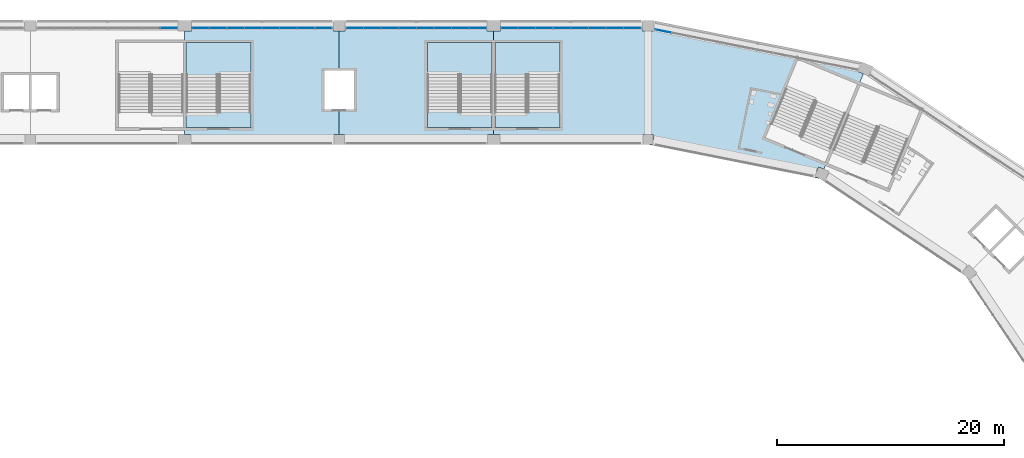
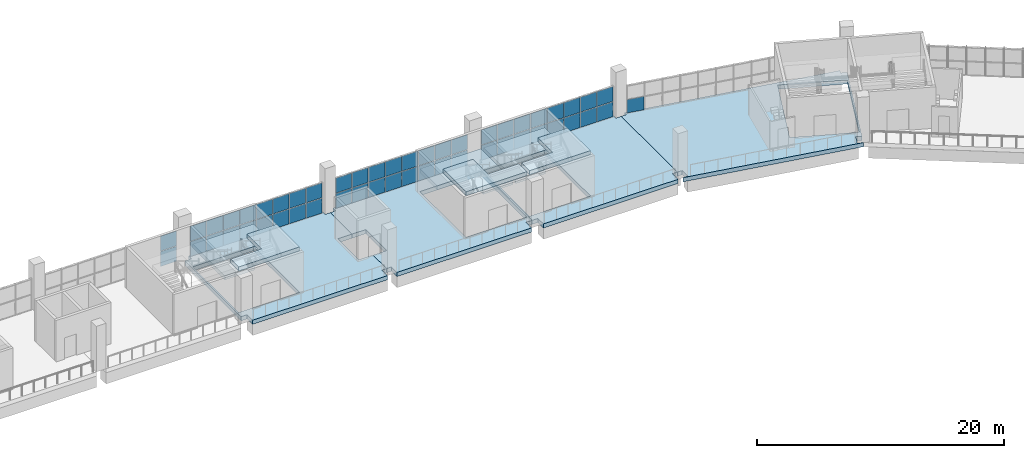
# One storey, part 56 of 177: 51 plates, 10 slabs, 8 elements without a shape of their own.
"""IFC4 building model written with IfcOpenShell, lengths in metres."""

from ifc_helpers import new_model, si_unit, direction, frame, origin, origin_2d, place, context, subcontext, project, spatial, polyline, rectangle, outline, extrude, material, layer, layer_set, type_object, element, aggregate, save


model = new_model("IFC4")

# Units and contexts
model_context = context("Model", 3, precision=1e-05, world=origin(), true_north=direction((0.0, 1.0)))
body_context = subcontext(model_context, "Body", "Model", "MODEL_VIEW")
ifc_project = project(units=[si_unit("LENGTHUNIT", "METRE"), si_unit("AREAUNIT", "SQUARE_METRE"), si_unit("VOLUMEUNIT", "CUBIC_METRE"), si_unit("PLANEANGLEUNIT", "RADIAN"), si_unit("MASSUNIT", "GRAM", prefix="KILO")], contexts=[model_context])

# Site, building, storey
site_placement = place(None, origin())
site = spatial("IfcSite", under=ifc_project, at=site_placement, CompositionType="ELEMENT")
building_placement = place(site_placement, origin())
building = spatial("IfcBuilding", under=site, at=building_placement, Name="Ogive Plaza Stadium", CompositionType="ELEMENT")
storey_placement = place(building_placement, frame((0.0, 0.0, 18.0)))
storey = spatial("IfcBuildingStorey", under=building, at=storey_placement, Name="L04", CompositionType="ELEMENT", Elevation=18.0)

# Curtain wall, plates
ifc_material_1 = material(Name="Bronze-anodised aluminium with laminated glass", Category="aluminium")
curtain_wall_type = type_object("IfcCurtainWallType", Name="Lancet curtain wall", PredefinedType="NOTDEFINED", material=ifc_material_1)
curtain_wall_1_placement = place(storey_placement, origin())
curtain_wall_1 = element("IfcCurtainWall", 1, at=curtain_wall_1_placement, inside=storey, type_object=curtain_wall_type, Name="CURTAIN WALL B33 L04", PredefinedType="NOTDEFINED")
ifc_material_2 = material(Name="Laminated glass", Category="glass")
ifc_layer_1 = layer(ifc_material_2, 0.028076171875)
ifc_layer_set_1 = layer_set([ifc_layer_1], Name="Laminated glass panel 28")
plate_type = type_object("IfcPlateType", Name="Laminated glass panel 28", PredefinedType="CURTAIN_PANEL", material=ifc_layer_set_1)
plate_1_placement = place(storey_placement, frame((-8.1875, 102.300048828125, 0.0498046875), z_axis=(0.0, 0.0, 1.0), x_axis=(1.0, 0.0, 0.0)))
plate_1 = element("IfcPlate", 2, at=plate_1_placement, type_object=plate_type, Name="CW-B33-L04 panel 8.1", PredefinedType="CURTAIN_PANEL", context=body_context, shape_type="SweptSolid", body=[
    extrude(rectangle(XDim=1.47509765625, YDim=0.028076171875, at=origin_2d()), origin(), (0.0, 0.0, 1.0), 1.469970703125),
])
plate_2_placement = place(storey_placement, frame((-8.1875, 102.300048828125, 1.56982421875), z_axis=(0.0, 0.0, 1.0), x_axis=(1.0, 0.0, 0.0)))
plate_2 = element("IfcPlate", 3, at=plate_2_placement, type_object=plate_type, Name="CW-B33-L04 panel 8.2", PredefinedType="CURTAIN_PANEL", context=body_context, shape_type="SweptSolid", body=[
    extrude(rectangle(XDim=1.47509765625, YDim=0.028076171875, at=origin_2d()), origin(), (0.0, 0.0, 1.0), 1.469970703125),
])
aggregate(curtain_wall_1, [plate_1, plate_2])

curtain_wall_2_placement = place(storey_placement, origin())
curtain_wall_2 = element("IfcCurtainWall", 4, at=curtain_wall_2_placement, inside=storey, type_object=curtain_wall_type, Name="CURTAIN WALL B34 L04", PredefinedType="NOTDEFINED")
plate_3_placement = place(storey_placement, frame((-5.41259765625, 102.300048828125, 0.0498046875), z_axis=(0.0, 0.0, 1.0), x_axis=(1.0, 0.0, 0.0)))
plate_3 = element("IfcPlate", 5, at=plate_3_placement, type_object=plate_type, Name="CW-B34-L04 panel 1.1", PredefinedType="CURTAIN_PANEL", context=body_context, shape_type="SweptSolid", body=[
    extrude(rectangle(XDim=1.47509765625, YDim=0.028076171875, at=origin_2d()), origin(), (0.0, 0.0, 1.0), 1.469970703125),
])
plate_4_placement = place(storey_placement, frame((-5.41259765625, 102.300048828125, 1.56982421875), z_axis=(0.0, 0.0, 1.0), x_axis=(1.0, 0.0, 0.0)))
plate_4 = element("IfcPlate", 6, at=plate_4_placement, type_object=plate_type, Name="CW-B34-L04 panel 1.2", PredefinedType="CURTAIN_PANEL", context=body_context, shape_type="SweptSolid", body=[
    extrude(rectangle(XDim=1.47509765625, YDim=0.028076171875, at=origin_2d()), origin(), (0.0, 0.0, 1.0), 1.469970703125),
])
plate_5_placement = place(storey_placement, frame((-3.875, 102.300048828125, 0.0498046875), z_axis=(0.0, 0.0, 1.0), x_axis=(1.0, 0.0, 0.0)))
plate_5 = element("IfcPlate", 7, at=plate_5_placement, type_object=plate_type, Name="CW-B34-L04 panel 2.1", PredefinedType="CURTAIN_PANEL", context=body_context, shape_type="SweptSolid", body=[
    extrude(rectangle(XDim=1.5, YDim=0.028076171875, at=origin_2d()), origin(), (0.0, 0.0, 1.0), 1.469970703125),
])
plate_6_placement = place(storey_placement, frame((-3.875, 102.300048828125, 1.56982421875), z_axis=(0.0, 0.0, 1.0), x_axis=(1.0, 0.0, 0.0)))
plate_6 = element("IfcPlate", 8, at=plate_6_placement, type_object=plate_type, Name="CW-B34-L04 panel 2.2", PredefinedType="CURTAIN_PANEL", context=body_context, shape_type="SweptSolid", body=[
    extrude(rectangle(XDim=1.5, YDim=0.028076171875, at=origin_2d()), origin(), (0.0, 0.0, 1.0), 1.469970703125),
])
plate_7_placement = place(storey_placement, frame((-2.324951171875, 102.300048828125, 0.0498046875), z_axis=(0.0, 0.0, 1.0), x_axis=(1.0, 0.0, 0.0)))
plate_7 = element("IfcPlate", 9, at=plate_7_placement, type_object=plate_type, Name="CW-B34-L04 panel 3.1", PredefinedType="CURTAIN_PANEL", context=body_context, shape_type="SweptSolid", body=[
    extrude(rectangle(XDim=1.5, YDim=0.028076171875, at=origin_2d()), origin(), (0.0, 0.0, 1.0), 1.469970703125),
])
plate_8_placement = place(storey_placement, frame((-2.324951171875, 102.300048828125, 1.56982421875), z_axis=(0.0, 0.0, 1.0), x_axis=(1.0, 0.0, 0.0)))
plate_8 = element("IfcPlate", 10, at=plate_8_placement, type_object=plate_type, Name="CW-B34-L04 panel 3.2", PredefinedType="CURTAIN_PANEL", context=body_context, shape_type="SweptSolid", body=[
    extrude(rectangle(XDim=1.5, YDim=0.028076171875, at=origin_2d()), origin(), (0.0, 0.0, 1.0), 1.469970703125),
])
plate_9_placement = place(storey_placement, frame((-0.77490234375, 102.300048828125, 0.0498046875), z_axis=(0.0, 0.0, 1.0), x_axis=(1.0, 0.0, 0.0)))
plate_9 = element("IfcPlate", 11, at=plate_9_placement, type_object=plate_type, Name="CW-B34-L04 panel 4.1", PredefinedType="CURTAIN_PANEL", context=body_context, shape_type="SweptSolid", body=[
    extrude(rectangle(XDim=1.5, YDim=0.028076171875, at=origin_2d()), origin(), (0.0, 0.0, 1.0), 1.469970703125),
])
plate_10_placement = place(storey_placement, frame((-0.77490234375, 102.300048828125, 1.56982421875), z_axis=(0.0, 0.0, 1.0), x_axis=(1.0, 0.0, 0.0)))
plate_10 = element("IfcPlate", 12, at=plate_10_placement, type_object=plate_type, Name="CW-B34-L04 panel 4.2", PredefinedType="CURTAIN_PANEL", context=body_context, shape_type="SweptSolid", body=[
    extrude(rectangle(XDim=1.5, YDim=0.028076171875, at=origin_2d()), origin(), (0.0, 0.0, 1.0), 1.469970703125),
])
plate_11_placement = place(storey_placement, frame((0.77490234375, 102.300048828125, 0.0498046875), z_axis=(0.0, 0.0, 1.0), x_axis=(1.0, 0.0, 0.0)))
plate_11 = element("IfcPlate", 13, at=plate_11_placement, type_object=plate_type, Name="CW-B34-L04 panel 5.1", PredefinedType="CURTAIN_PANEL", context=body_context, shape_type="SweptSolid", body=[
    extrude(rectangle(XDim=1.5, YDim=0.028076171875, at=origin_2d()), origin(), (0.0, 0.0, 1.0), 1.469970703125),
])
plate_12_placement = place(storey_placement, frame((0.77490234375, 102.300048828125, 1.56982421875), z_axis=(0.0, 0.0, 1.0), x_axis=(1.0, 0.0, 0.0)))
plate_12 = element("IfcPlate", 14, at=plate_12_placement, type_object=plate_type, Name="CW-B34-L04 panel 5.2", PredefinedType="CURTAIN_PANEL", context=body_context, shape_type="SweptSolid", body=[
    extrude(rectangle(XDim=1.5, YDim=0.028076171875, at=origin_2d()), origin(), (0.0, 0.0, 1.0), 1.469970703125),
])
plate_13_placement = place(storey_placement, frame((2.324951171875, 102.300048828125, 0.0498046875), z_axis=(0.0, 0.0, 1.0), x_axis=(1.0, 0.0, 0.0)))
plate_13 = element("IfcPlate", 15, at=plate_13_placement, type_object=plate_type, Name="CW-B34-L04 panel 6.1", PredefinedType="CURTAIN_PANEL", context=body_context, shape_type="SweptSolid", body=[
    extrude(rectangle(XDim=1.5, YDim=0.028076171875, at=origin_2d()), origin(), (0.0, 0.0, 1.0), 1.469970703125),
])
plate_14_placement = place(storey_placement, frame((2.324951171875, 102.300048828125, 1.56982421875), z_axis=(0.0, 0.0, 1.0), x_axis=(1.0, 0.0, 0.0)))
plate_14 = element("IfcPlate", 16, at=plate_14_placement, type_object=plate_type, Name="CW-B34-L04 panel 6.2", PredefinedType="CURTAIN_PANEL", context=body_context, shape_type="SweptSolid", body=[
    extrude(rectangle(XDim=1.5, YDim=0.028076171875, at=origin_2d()), origin(), (0.0, 0.0, 1.0), 1.469970703125),
])
plate_15_placement = place(storey_placement, frame((3.875, 102.300048828125, 0.0498046875), z_axis=(0.0, 0.0, 1.0), x_axis=(1.0, 0.0, 0.0)))
plate_15 = element("IfcPlate", 17, at=plate_15_placement, type_object=plate_type, Name="CW-B34-L04 panel 7.1", PredefinedType="CURTAIN_PANEL", context=body_context, shape_type="SweptSolid", body=[
    extrude(rectangle(XDim=1.5, YDim=0.028076171875, at=origin_2d()), origin(), (0.0, 0.0, 1.0), 1.469970703125),
])
plate_16_placement = place(storey_placement, frame((3.875, 102.300048828125, 1.56982421875), z_axis=(0.0, 0.0, 1.0), x_axis=(1.0, 0.0, 0.0)))
plate_16 = element("IfcPlate", 18, at=plate_16_placement, type_object=plate_type, Name="CW-B34-L04 panel 7.2", PredefinedType="CURTAIN_PANEL", context=body_context, shape_type="SweptSolid", body=[
    extrude(rectangle(XDim=1.5, YDim=0.028076171875, at=origin_2d()), origin(), (0.0, 0.0, 1.0), 1.469970703125),
])
plate_17_placement = place(storey_placement, frame((5.41259765625, 102.300048828125, 0.0498046875), z_axis=(0.0, 0.0, 1.0), x_axis=(1.0, 0.0, 0.0)))
plate_17 = element("IfcPlate", 19, at=plate_17_placement, type_object=plate_type, Name="CW-B34-L04 panel 8.1", PredefinedType="CURTAIN_PANEL", context=body_context, shape_type="SweptSolid", body=[
    extrude(rectangle(XDim=1.47509765625, YDim=0.028076171875, at=origin_2d()), origin(), (0.0, 0.0, 1.0), 1.469970703125),
])
plate_18_placement = place(storey_placement, frame((5.41259765625, 102.300048828125, 1.56982421875), z_axis=(0.0, 0.0, 1.0), x_axis=(1.0, 0.0, 0.0)))
plate_18 = element("IfcPlate", 20, at=plate_18_placement, type_object=plate_type, Name="CW-B34-L04 panel 8.2", PredefinedType="CURTAIN_PANEL", context=body_context, shape_type="SweptSolid", body=[
    extrude(rectangle(XDim=1.47509765625, YDim=0.028076171875, at=origin_2d()), origin(), (0.0, 0.0, 1.0), 1.469970703125),
])
aggregate(curtain_wall_2, [plate_3, plate_4, plate_5, plate_6, plate_7, plate_8, plate_9, plate_10, plate_11, plate_12, plate_13, plate_14, plate_15, plate_16, plate_17, plate_18])

curtain_wall_3_placement = place(storey_placement, origin())
curtain_wall_3 = element("IfcCurtainWall", 21, at=curtain_wall_3_placement, inside=storey, type_object=curtain_wall_type, Name="CURTAIN WALL B35 L04", PredefinedType="NOTDEFINED")
plate_19_placement = place(storey_placement, frame((8.1875, 102.300048828125, 0.0498046875), z_axis=(0.0, 0.0, 1.0), x_axis=(1.0, 0.0, 0.0)))
plate_19 = element("IfcPlate", 22, at=plate_19_placement, type_object=plate_type, Name="CW-B35-L04 panel 1.1", PredefinedType="CURTAIN_PANEL", context=body_context, shape_type="SweptSolid", body=[
    extrude(rectangle(XDim=1.47509765625, YDim=0.028076171875, at=origin_2d()), origin(), (0.0, 0.0, 1.0), 1.469970703125),
])
plate_20_placement = place(storey_placement, frame((8.1875, 102.300048828125, 1.56982421875), z_axis=(0.0, 0.0, 1.0), x_axis=(1.0, 0.0, 0.0)))
plate_20 = element("IfcPlate", 23, at=plate_20_placement, type_object=plate_type, Name="CW-B35-L04 panel 1.2", PredefinedType="CURTAIN_PANEL", context=body_context, shape_type="SweptSolid", body=[
    extrude(rectangle(XDim=1.47509765625, YDim=0.028076171875, at=origin_2d()), origin(), (0.0, 0.0, 1.0), 1.469970703125),
])
plate_21_placement = place(storey_placement, frame((9.72509765625, 102.300048828125, 0.0498046875), z_axis=(0.0, 0.0, 1.0), x_axis=(1.0, 0.0, 0.0)))
plate_21 = element("IfcPlate", 24, at=plate_21_placement, type_object=plate_type, Name="CW-B35-L04 panel 2.1", PredefinedType="CURTAIN_PANEL", context=body_context, shape_type="SweptSolid", body=[
    extrude(rectangle(XDim=1.5, YDim=0.028076171875, at=origin_2d()), origin(), (0.0, 0.0, 1.0), 1.469970703125),
])
plate_22_placement = place(storey_placement, frame((9.72509765625, 102.300048828125, 1.56982421875), z_axis=(0.0, 0.0, 1.0), x_axis=(1.0, 0.0, 0.0)))
plate_22 = element("IfcPlate", 25, at=plate_22_placement, type_object=plate_type, Name="CW-B35-L04 panel 2.2", PredefinedType="CURTAIN_PANEL", context=body_context, shape_type="SweptSolid", body=[
    extrude(rectangle(XDim=1.5, YDim=0.028076171875, at=origin_2d()), origin(), (0.0, 0.0, 1.0), 1.469970703125),
])
plate_23_placement = place(storey_placement, frame((11.27490234375, 102.300048828125, 0.0498046875), z_axis=(0.0, 0.0, 1.0), x_axis=(1.0, 0.0, 0.0)))
plate_23 = element("IfcPlate", 26, at=plate_23_placement, type_object=plate_type, Name="CW-B35-L04 panel 3.1", PredefinedType="CURTAIN_PANEL", context=body_context, shape_type="SweptSolid", body=[
    extrude(rectangle(XDim=1.5, YDim=0.028076171875, at=origin_2d()), origin(), (0.0, 0.0, 1.0), 1.469970703125),
])
plate_24_placement = place(storey_placement, frame((11.27490234375, 102.300048828125, 1.56982421875), z_axis=(0.0, 0.0, 1.0), x_axis=(1.0, 0.0, 0.0)))
plate_24 = element("IfcPlate", 27, at=plate_24_placement, type_object=plate_type, Name="CW-B35-L04 panel 3.2", PredefinedType="CURTAIN_PANEL", context=body_context, shape_type="SweptSolid", body=[
    extrude(rectangle(XDim=1.5, YDim=0.028076171875, at=origin_2d()), origin(), (0.0, 0.0, 1.0), 1.469970703125),
])
plate_25_placement = place(storey_placement, frame((12.824951171875, 102.300048828125, 0.0498046875), z_axis=(0.0, 0.0, 1.0), x_axis=(1.0, 0.0, 0.0)))
plate_25 = element("IfcPlate", 28, at=plate_25_placement, type_object=plate_type, Name="CW-B35-L04 panel 4.1", PredefinedType="CURTAIN_PANEL", context=body_context, shape_type="SweptSolid", body=[
    extrude(rectangle(XDim=1.5, YDim=0.028076171875, at=origin_2d()), origin(), (0.0, 0.0, 1.0), 1.469970703125),
])
plate_26_placement = place(storey_placement, frame((12.824951171875, 102.300048828125, 1.56982421875), z_axis=(0.0, 0.0, 1.0), x_axis=(1.0, 0.0, 0.0)))
plate_26 = element("IfcPlate", 29, at=plate_26_placement, type_object=plate_type, Name="CW-B35-L04 panel 4.2", PredefinedType="CURTAIN_PANEL", context=body_context, shape_type="SweptSolid", body=[
    extrude(rectangle(XDim=1.5, YDim=0.028076171875, at=origin_2d()), origin(), (0.0, 0.0, 1.0), 1.469970703125),
])
plate_27_placement = place(storey_placement, frame((14.375, 102.300048828125, 0.0498046875), z_axis=(0.0, 0.0, 1.0), x_axis=(1.0, 0.0, 0.0)))
plate_27 = element("IfcPlate", 30, at=plate_27_placement, type_object=plate_type, Name="CW-B35-L04 panel 5.1", PredefinedType="CURTAIN_PANEL", context=body_context, shape_type="SweptSolid", body=[
    extrude(rectangle(XDim=1.5, YDim=0.028076171875, at=origin_2d()), origin(), (0.0, 0.0, 1.0), 1.469970703125),
])
plate_28_placement = place(storey_placement, frame((14.375, 102.300048828125, 1.56982421875), z_axis=(0.0, 0.0, 1.0), x_axis=(1.0, 0.0, 0.0)))
plate_28 = element("IfcPlate", 31, at=plate_28_placement, type_object=plate_type, Name="CW-B35-L04 panel 5.2", PredefinedType="CURTAIN_PANEL", context=body_context, shape_type="SweptSolid", body=[
    extrude(rectangle(XDim=1.5, YDim=0.028076171875, at=origin_2d()), origin(), (0.0, 0.0, 1.0), 1.469970703125),
])
plate_29_placement = place(storey_placement, frame((15.925048828125, 102.300048828125, 0.0498046875), z_axis=(0.0, 0.0, 1.0), x_axis=(1.0, 0.0, 0.0)))
plate_29 = element("IfcPlate", 32, at=plate_29_placement, type_object=plate_type, Name="CW-B35-L04 panel 6.1", PredefinedType="CURTAIN_PANEL", context=body_context, shape_type="SweptSolid", body=[
    extrude(rectangle(XDim=1.5, YDim=0.028076171875, at=origin_2d()), origin(), (0.0, 0.0, 1.0), 1.469970703125),
])
plate_30_placement = place(storey_placement, frame((15.925048828125, 102.300048828125, 1.56982421875), z_axis=(0.0, 0.0, 1.0), x_axis=(1.0, 0.0, 0.0)))
plate_30 = element("IfcPlate", 33, at=plate_30_placement, type_object=plate_type, Name="CW-B35-L04 panel 6.2", PredefinedType="CURTAIN_PANEL", context=body_context, shape_type="SweptSolid", body=[
    extrude(rectangle(XDim=1.5, YDim=0.028076171875, at=origin_2d()), origin(), (0.0, 0.0, 1.0), 1.469970703125),
])
plate_31_placement = place(storey_placement, frame((17.47509765625, 102.300048828125, 0.0498046875), z_axis=(0.0, 0.0, 1.0), x_axis=(1.0, 0.0, 0.0)))
plate_31 = element("IfcPlate", 34, at=plate_31_placement, type_object=plate_type, Name="CW-B35-L04 panel 7.1", PredefinedType="CURTAIN_PANEL", context=body_context, shape_type="SweptSolid", body=[
    extrude(rectangle(XDim=1.5, YDim=0.028076171875, at=origin_2d()), origin(), (0.0, 0.0, 1.0), 1.469970703125),
])
plate_32_placement = place(storey_placement, frame((17.47509765625, 102.300048828125, 1.56982421875), z_axis=(0.0, 0.0, 1.0), x_axis=(1.0, 0.0, 0.0)))
plate_32 = element("IfcPlate", 35, at=plate_32_placement, type_object=plate_type, Name="CW-B35-L04 panel 7.2", PredefinedType="CURTAIN_PANEL", context=body_context, shape_type="SweptSolid", body=[
    extrude(rectangle(XDim=1.5, YDim=0.028076171875, at=origin_2d()), origin(), (0.0, 0.0, 1.0), 1.469970703125),
])
plate_33_placement = place(storey_placement, frame((19.012451171875, 102.300048828125, 0.0498046875), z_axis=(0.0, 0.0, 1.0), x_axis=(1.0, 0.0, 0.0)))
plate_33 = element("IfcPlate", 36, at=plate_33_placement, type_object=plate_type, Name="CW-B35-L04 panel 8.1", PredefinedType="CURTAIN_PANEL", context=body_context, shape_type="SweptSolid", body=[
    extrude(rectangle(XDim=1.47509765625, YDim=0.028076171875, at=origin_2d()), origin(), (0.0, 0.0, 1.0), 1.469970703125),
])
plate_34_placement = place(storey_placement, frame((19.012451171875, 102.300048828125, 1.56982421875), z_axis=(0.0, 0.0, 1.0), x_axis=(1.0, 0.0, 0.0)))
plate_34 = element("IfcPlate", 37, at=plate_34_placement, type_object=plate_type, Name="CW-B35-L04 panel 8.2", PredefinedType="CURTAIN_PANEL", context=body_context, shape_type="SweptSolid", body=[
    extrude(rectangle(XDim=1.47509765625, YDim=0.028076171875, at=origin_2d()), origin(), (0.0, 0.0, 1.0), 1.469970703125),
])
aggregate(curtain_wall_3, [plate_19, plate_20, plate_21, plate_22, plate_23, plate_24, plate_25, plate_26, plate_27, plate_28, plate_29, plate_30, plate_31, plate_32, plate_33, plate_34])

curtain_wall_4_placement = place(storey_placement, origin())
curtain_wall_4 = element("IfcCurtainWall", 38, at=curtain_wall_4_placement, inside=storey, type_object=curtain_wall_type, Name="CURTAIN WALL B36 L04", PredefinedType="NOTDEFINED")
plate_35_placement = place(storey_placement, frame((21.78759765625, 102.300048828125, 0.0498046875), z_axis=(0.0, 0.0, 1.0), x_axis=(1.0, 0.0, 0.0)))
plate_35 = element("IfcPlate", 39, at=plate_35_placement, type_object=plate_type, Name="CW-B36-L04 panel 1.1", PredefinedType="CURTAIN_PANEL", context=body_context, shape_type="SweptSolid", body=[
    extrude(rectangle(XDim=1.47509765625, YDim=0.028076171875, at=origin_2d()), origin(), (0.0, 0.0, 1.0), 1.469970703125),
])
plate_36_placement = place(storey_placement, frame((21.78759765625, 102.300048828125, 1.56982421875), z_axis=(0.0, 0.0, 1.0), x_axis=(1.0, 0.0, 0.0)))
plate_36 = element("IfcPlate", 40, at=plate_36_placement, type_object=plate_type, Name="CW-B36-L04 panel 1.2", PredefinedType="CURTAIN_PANEL", context=body_context, shape_type="SweptSolid", body=[
    extrude(rectangle(XDim=1.47509765625, YDim=0.028076171875, at=origin_2d()), origin(), (0.0, 0.0, 1.0), 1.469970703125),
])
plate_37_placement = place(storey_placement, frame((23.324951171875, 102.300048828125, 0.0498046875), z_axis=(0.0, 0.0, 1.0), x_axis=(1.0, 0.0, 0.0)))
plate_37 = element("IfcPlate", 41, at=plate_37_placement, type_object=plate_type, Name="CW-B36-L04 panel 2.1", PredefinedType="CURTAIN_PANEL", context=body_context, shape_type="SweptSolid", body=[
    extrude(rectangle(XDim=1.5, YDim=0.028076171875, at=origin_2d()), origin(), (0.0, 0.0, 1.0), 1.469970703125),
])
plate_38_placement = place(storey_placement, frame((23.324951171875, 102.300048828125, 1.56982421875), z_axis=(0.0, 0.0, 1.0), x_axis=(1.0, 0.0, 0.0)))
plate_38 = element("IfcPlate", 42, at=plate_38_placement, type_object=plate_type, Name="CW-B36-L04 panel 2.2", PredefinedType="CURTAIN_PANEL", context=body_context, shape_type="SweptSolid", body=[
    extrude(rectangle(XDim=1.5, YDim=0.028076171875, at=origin_2d()), origin(), (0.0, 0.0, 1.0), 1.469970703125),
])
plate_39_placement = place(storey_placement, frame((24.875, 102.300048828125, 0.0498046875), z_axis=(0.0, 0.0, 1.0), x_axis=(1.0, 0.0, 0.0)))
plate_39 = element("IfcPlate", 43, at=plate_39_placement, type_object=plate_type, Name="CW-B36-L04 panel 3.1", PredefinedType="CURTAIN_PANEL", context=body_context, shape_type="SweptSolid", body=[
    extrude(rectangle(XDim=1.5, YDim=0.028076171875, at=origin_2d()), origin(), (0.0, 0.0, 1.0), 1.469970703125),
])
plate_40_placement = place(storey_placement, frame((24.875, 102.300048828125, 1.56982421875), z_axis=(0.0, 0.0, 1.0), x_axis=(1.0, 0.0, 0.0)))
plate_40 = element("IfcPlate", 44, at=plate_40_placement, type_object=plate_type, Name="CW-B36-L04 panel 3.2", PredefinedType="CURTAIN_PANEL", context=body_context, shape_type="SweptSolid", body=[
    extrude(rectangle(XDim=1.5, YDim=0.028076171875, at=origin_2d()), origin(), (0.0, 0.0, 1.0), 1.469970703125),
])
plate_41_placement = place(storey_placement, frame((26.425048828125, 102.300048828125, 0.0498046875), z_axis=(0.0, 0.0, 1.0), x_axis=(1.0, 0.0, 0.0)))
plate_41 = element("IfcPlate", 45, at=plate_41_placement, type_object=plate_type, Name="CW-B36-L04 panel 4.1", PredefinedType="CURTAIN_PANEL", context=body_context, shape_type="SweptSolid", body=[
    extrude(rectangle(XDim=1.5, YDim=0.028076171875, at=origin_2d()), origin(), (0.0, 0.0, 1.0), 1.469970703125),
])
plate_42_placement = place(storey_placement, frame((26.425048828125, 102.300048828125, 1.56982421875), z_axis=(0.0, 0.0, 1.0), x_axis=(1.0, 0.0, 0.0)))
plate_42 = element("IfcPlate", 46, at=plate_42_placement, type_object=plate_type, Name="CW-B36-L04 panel 4.2", PredefinedType="CURTAIN_PANEL", context=body_context, shape_type="SweptSolid", body=[
    extrude(rectangle(XDim=1.5, YDim=0.028076171875, at=origin_2d()), origin(), (0.0, 0.0, 1.0), 1.469970703125),
])
plate_43_placement = place(storey_placement, frame((27.97509765625, 102.300048828125, 0.0498046875), z_axis=(0.0, 0.0, 1.0), x_axis=(1.0, 0.0, 0.0)))
plate_43 = element("IfcPlate", 47, at=plate_43_placement, type_object=plate_type, Name="CW-B36-L04 panel 5.1", PredefinedType="CURTAIN_PANEL", context=body_context, shape_type="SweptSolid", body=[
    extrude(rectangle(XDim=1.5, YDim=0.028076171875, at=origin_2d()), origin(), (0.0, 0.0, 1.0), 1.469970703125),
])
plate_44_placement = place(storey_placement, frame((27.97509765625, 102.300048828125, 1.56982421875), z_axis=(0.0, 0.0, 1.0), x_axis=(1.0, 0.0, 0.0)))
plate_44 = element("IfcPlate", 48, at=plate_44_placement, type_object=plate_type, Name="CW-B36-L04 panel 5.2", PredefinedType="CURTAIN_PANEL", context=body_context, shape_type="SweptSolid", body=[
    extrude(rectangle(XDim=1.5, YDim=0.028076171875, at=origin_2d()), origin(), (0.0, 0.0, 1.0), 1.469970703125),
])
plate_45_placement = place(storey_placement, frame((29.52490234375, 102.300048828125, 0.0498046875), z_axis=(0.0, 0.0, 1.0), x_axis=(1.0, 0.0, 0.0)))
plate_45 = element("IfcPlate", 49, at=plate_45_placement, type_object=plate_type, Name="CW-B36-L04 panel 6.1", PredefinedType="CURTAIN_PANEL", context=body_context, shape_type="SweptSolid", body=[
    extrude(rectangle(XDim=1.5, YDim=0.028076171875, at=origin_2d()), origin(), (0.0, 0.0, 1.0), 1.469970703125),
])
plate_46_placement = place(storey_placement, frame((29.52490234375, 102.300048828125, 1.56982421875), z_axis=(0.0, 0.0, 1.0), x_axis=(1.0, 0.0, 0.0)))
plate_46 = element("IfcPlate", 50, at=plate_46_placement, type_object=plate_type, Name="CW-B36-L04 panel 6.2", PredefinedType="CURTAIN_PANEL", context=body_context, shape_type="SweptSolid", body=[
    extrude(rectangle(XDim=1.5, YDim=0.028076171875, at=origin_2d()), origin(), (0.0, 0.0, 1.0), 1.469970703125),
])
plate_47_placement = place(storey_placement, frame((31.074951171875, 102.300048828125, 0.0498046875), z_axis=(0.0, 0.0, 1.0), x_axis=(1.0, 0.0, 0.0)))
plate_47 = element("IfcPlate", 51, at=plate_47_placement, type_object=plate_type, Name="CW-B36-L04 panel 7.1", PredefinedType="CURTAIN_PANEL", context=body_context, shape_type="SweptSolid", body=[
    extrude(rectangle(XDim=1.5, YDim=0.028076171875, at=origin_2d()), origin(), (0.0, 0.0, 1.0), 1.469970703125),
])
plate_48_placement = place(storey_placement, frame((31.074951171875, 102.300048828125, 1.56982421875), z_axis=(0.0, 0.0, 1.0), x_axis=(1.0, 0.0, 0.0)))
plate_48 = element("IfcPlate", 52, at=plate_48_placement, type_object=plate_type, Name="CW-B36-L04 panel 7.2", PredefinedType="CURTAIN_PANEL", context=body_context, shape_type="SweptSolid", body=[
    extrude(rectangle(XDim=1.5, YDim=0.028076171875, at=origin_2d()), origin(), (0.0, 0.0, 1.0), 1.469970703125),
])
plate_49_placement = place(storey_placement, frame((32.612548828125, 102.300048828125, 0.0498046875), z_axis=(0.0, 0.0, 1.0), x_axis=(1.0, 0.0, 0.0)))
plate_49 = element("IfcPlate", 53, at=plate_49_placement, type_object=plate_type, Name="CW-B36-L04 panel 8.1", PredefinedType="CURTAIN_PANEL", context=body_context, shape_type="SweptSolid", body=[
    extrude(rectangle(XDim=1.47509765625, YDim=0.028076171875, at=origin_2d()), origin(), (0.0, 0.0, 1.0), 1.469970703125),
])
plate_50_placement = place(storey_placement, frame((32.612548828125, 102.300048828125, 1.56982421875), z_axis=(0.0, 0.0, 1.0), x_axis=(1.0, 0.0, 0.0)))
plate_50 = element("IfcPlate", 54, at=plate_50_placement, type_object=plate_type, Name="CW-B36-L04 panel 8.2", PredefinedType="CURTAIN_PANEL", context=body_context, shape_type="SweptSolid", body=[
    extrude(rectangle(XDim=1.47509765625, YDim=0.028076171875, at=origin_2d()), origin(), (0.0, 0.0, 1.0), 1.469970703125),
])
aggregate(curtain_wall_4, [plate_35, plate_36, plate_37, plate_38, plate_39, plate_40, plate_41, plate_42, plate_43, plate_44, plate_45, plate_46, plate_47, plate_48, plate_49, plate_50])

# Curtain wall, plate
curtain_wall_5_placement = place(storey_placement, origin())
curtain_wall_5 = element("IfcCurtainWall", 55, at=curtain_wall_5_placement, inside=storey, type_object=curtain_wall_type, Name="CURTAIN WALL B37 L04", PredefinedType="NOTDEFINED")
plate_51_placement = place(storey_placement, frame((35.328369140625, 102.031982421875, 0.0498046875), z_axis=(0.0, 0.0, 1.0), x_axis=(0.9807852804, -0.195090322033, 0.0)))
plate_51 = element("IfcPlate", 56, at=plate_51_placement, type_object=plate_type, Name="CW-B37-L04 panel 1.1", PredefinedType="CURTAIN_PANEL", context=body_context, shape_type="SweptSolid", body=[
    extrude(rectangle(XDim=1.447265625, YDim=0.028076171875, at=origin_2d()), origin(), (0.0, 0.0, 1.0), 1.320068359375),
])
aggregate(curtain_wall_5, [plate_51])

# Slabs
ifc_material_3 = material(Name="Concrete C40/50", Category="concrete")
ifc_layer_2 = layer(ifc_material_3, 0.409912109375)
ifc_layer_set_2 = layer_set([ifc_layer_2], Name="Concrete C40/50")
slab_type_1 = type_object("IfcSlabType", Name="RC floor slab 410", PredefinedType="FLOOR", material=ifc_layer_set_2)
slab_1_placement = place(storey_placement, frame((0.0, 0.0, -0.409912109375)))
element("IfcSlab", 57, at=slab_1_placement, inside=storey, type_object=slab_type_1, Name="Floor slab L04 B34", PredefinedType="FLOOR", context=body_context, shape_type="SweptSolid", body=[
    extrude(outline(polyline([(6.800048828125, 95.14990234375), (5.5, 95.14990234375), (5.5, 98.550048828125), (6.800048828125, 98.550048828125), (6.800048828125, 102.050048828125), (6.300048828125, 102.050048828125), (6.300048828125, 102.5), (-6.199951171875, 102.5), (-6.199951171875, 102.050048828125), (-6.800048828125, 102.050048828125), (-6.800048828125, 92.949951171875), (-6.25, 92.949951171875), (-6.25, 92.050048828125), (6.35009765625, 92.050048828125), (6.35009765625, 92.949951171875), (6.800048828125, 92.949951171875), (6.800048828125, 95.14990234375)]), holes=[polyline([(-6.675048828125, 93.550048828125), (-0.97509765625, 93.550048828125), (-0.97509765625, 101.010009765625), (-6.675048828125, 101.010009765625), (-6.675048828125, 93.550048828125)])]), origin(), (0.0, 0.0, 1.0), 0.409912109375),
])
slab_2_placement = place(storey_placement, frame((0.0, 0.0, -0.409912109375)))
element("IfcSlab", 58, at=slab_2_placement, inside=storey, type_object=slab_type_1, Name="Floor slab L04 B35", PredefinedType="FLOOR", context=body_context, shape_type="SweptSolid", body=[
    extrude(outline(polyline([(20.39990234375, 102.050048828125), (19.800048828125, 102.050048828125), (19.800048828125, 102.5), (7.300048828125, 102.5), (7.300048828125, 102.050048828125), (6.800048828125, 102.050048828125), (6.800048828125, 98.550048828125), (8.10009765625, 98.550048828125), (8.10009765625, 95.14990234375), (6.800048828125, 95.14990234375), (6.800048828125, 92.949951171875), (7.25, 92.949951171875), (7.25, 92.050048828125), (19.85009765625, 92.050048828125), (19.85009765625, 92.949951171875), (20.39990234375, 92.949951171875), (20.39990234375, 102.050048828125)]), holes=[polyline([(14.574951171875, 93.550048828125), (20.27490234375, 93.550048828125), (20.27490234375, 101.010009765625), (14.574951171875, 101.010009765625), (14.574951171875, 93.550048828125)])]), origin(), (0.0, 0.0, 1.0), 0.409912109375),
])
slab_3_placement = place(storey_placement, frame((0.0, 0.0, -0.409912109375)))
element("IfcSlab", 59, at=slab_3_placement, inside=storey, type_object=slab_type_1, Name="Floor slab L04 B36", PredefinedType="FLOOR", context=body_context, shape_type="SweptSolid", body=[
    extrude(outline(polyline([(34.0, 102.050048828125), (33.5, 102.050048828125), (33.5, 102.5), (21.0, 102.5), (21.0, 102.050048828125), (20.39990234375, 102.050048828125), (20.39990234375, 92.949951171875), (20.949951171875, 92.949951171875), (20.949951171875, 92.050048828125), (33.550048828125, 92.050048828125), (33.550048828125, 92.949951171875), (34.0, 92.949951171875), (34.0, 102.050048828125)]), holes=[polyline([(20.52490234375, 93.550048828125), (26.22509765625, 93.550048828125), (26.22509765625, 101.010009765625), (20.52490234375, 101.010009765625), (20.52490234375, 93.550048828125)])]), origin(), (0.0, 0.0, 1.0), 0.409912109375),
])
slab_4_placement = place(storey_placement, frame((0.0, 0.0, -0.409912109375)))
element("IfcSlab", 60, at=slab_4_placement, inside=storey, type_object=slab_type_1, Name="Floor slab L04 B37", PredefinedType="FLOOR", context=body_context, shape_type="SweptSolid", body=[
    extrude(outline(polyline([(52.9619140625, 98.2783203125), (52.453857421875, 98.48876953125), (52.584228515625, 98.803466796875), (34.5, 102.400634765625), (34.5, 102.050048828125), (34.0, 102.050048828125), (34.0, 92.949951171875), (34.449951171875, 92.949951171875), (34.449951171875, 92.050048828125), (34.0, 92.050048828125), (49.135009765625, 89.03955078125), (48.673095703125, 89.230712890625), (49.017578125, 90.062255859375), (49.4794921875, 89.870849609375), (52.9619140625, 98.2783203125)]), holes=[polyline([(44.32763671875, 92.654296875), (49.59375, 90.47314453125), (52.448486328125, 97.365234375), (47.182373046875, 99.546630859375), (44.32763671875, 92.654296875)])]), origin(), (0.0, 0.0, 1.0), 0.409912109375),
])

# Stair, slabs
ifc_material_4 = material(Name="Concrete C40/50", Category="concrete")
stair_type = type_object("IfcStairType", Name="Exit stair", PredefinedType="STRAIGHT_RUN_STAIR", material=ifc_material_4)
stair_1_placement = place(storey_placement, origin())
stair_1 = element("IfcStair", 61, at=stair_1_placement, inside=storey, type_object=stair_type, Name="Exit stair ST34A L04 to L05", PredefinedType="STRAIGHT_RUN_STAIR")
ifc_material_5 = material(Name="Concrete C40/50", Category="concrete")
ifc_layer_3 = layer(ifc_material_5, 0.39990234375)
ifc_layer_set_3 = layer_set([ifc_layer_3], Name="Concrete C40/50")
slab_type_2 = type_object("IfcSlabType", Name="Stair landing", PredefinedType="LANDING", material=ifc_layer_set_3)
slab_5_placement = place(storey_placement, frame((0.0, 0.0, 1.85009765625)))
slab_5 = element("IfcSlab", 62, at=slab_5_placement, type_object=slab_type_2, Name="ST34A landing 1", PredefinedType="LANDING", context=body_context, shape_type="SweptSolid", body=[
    extrude(outline(polyline([(-6.675048828125, 101.010009765625), (-0.97509765625, 101.010009765625), (-0.97509765625, 98.2099609375), (-3.875, 98.2099609375), (-3.875, 95.81005859375), (-6.675048828125, 95.81005859375), (-6.675048828125, 98.2099609375), (-6.675048828125, 101.010009765625)])), origin(), (0.0, 0.0, 1.0), 0.39990234375),
])
slab_6_placement = place(storey_placement, frame((0.0, 0.0, 4.10009765625)))
slab_6 = element("IfcSlab", 63, at=slab_6_placement, type_object=slab_type_2, Name="ST34A landing 2", PredefinedType="LANDING", context=body_context, shape_type="SweptSolid", body=[
    extrude(outline(polyline([(-3.77490234375, 97.25), (-0.97509765625, 97.25), (-0.97509765625, 94.85009765625), (-0.97509765625, 93.550048828125), (-6.675048828125, 93.550048828125), (-6.675048828125, 94.85009765625), (-3.77490234375, 94.85009765625), (-3.77490234375, 97.25)])), origin(), (0.0, 0.0, 1.0), 0.39990234375),
])
aggregate(stair_1, [slab_5, slab_6])

stair_2_placement = place(storey_placement, origin())
stair_2 = element("IfcStair", 64, at=stair_2_placement, inside=storey, type_object=stair_type, Name="Exit stair ST36A L04 to L05", PredefinedType="STRAIGHT_RUN_STAIR")
slab_7_placement = place(storey_placement, frame((0.0, 0.0, 1.85009765625)))
slab_7 = element("IfcSlab", 65, at=slab_7_placement, type_object=slab_type_2, Name="ST36A landing 1", PredefinedType="LANDING", context=body_context, shape_type="SweptSolid", body=[
    extrude(outline(polyline([(20.52490234375, 101.010009765625), (26.22509765625, 101.010009765625), (26.22509765625, 98.2099609375), (23.324951171875, 98.2099609375), (23.324951171875, 95.81005859375), (20.52490234375, 95.81005859375), (20.52490234375, 98.2099609375), (20.52490234375, 101.010009765625)])), origin(), (0.0, 0.0, 1.0), 0.39990234375),
])
slab_8_placement = place(storey_placement, frame((0.0, 0.0, 4.10009765625)))
slab_8 = element("IfcSlab", 66, at=slab_8_placement, type_object=slab_type_2, Name="ST36A landing 2", PredefinedType="LANDING", context=body_context, shape_type="SweptSolid", body=[
    extrude(outline(polyline([(23.425048828125, 97.25), (26.22509765625, 97.25), (26.22509765625, 94.85009765625), (26.22509765625, 93.550048828125), (20.52490234375, 93.550048828125), (20.52490234375, 94.85009765625), (23.425048828125, 94.85009765625), (23.425048828125, 97.25)])), origin(), (0.0, 0.0, 1.0), 0.39990234375),
])
aggregate(stair_2, [slab_7, slab_8])

stair_3_placement = place(storey_placement, origin())
stair_3 = element("IfcStair", 67, at=stair_3_placement, inside=storey, type_object=stair_type, Name="Exit stair ST36B L04 to L05", PredefinedType="STRAIGHT_RUN_STAIR")
slab_9_placement = place(storey_placement, frame((0.0, 0.0, 1.85009765625)))
slab_9 = element("IfcSlab", 68, at=slab_9_placement, type_object=slab_type_2, Name="ST36B landing 1", PredefinedType="LANDING", context=body_context, shape_type="SweptSolid", body=[
    extrude(outline(polyline([(20.27490234375, 95.81005859375), (17.47509765625, 95.81005859375), (17.47509765625, 98.2099609375), (14.574951171875, 98.2099609375), (14.574951171875, 101.010009765625), (20.27490234375, 101.010009765625), (20.27490234375, 98.2099609375), (20.27490234375, 95.81005859375)])), origin(), (0.0, 0.0, 1.0), 0.39990234375),
])
slab_10_placement = place(storey_placement, frame((0.0, 0.0, 4.10009765625)))
slab_10 = element("IfcSlab", 69, at=slab_10_placement, type_object=slab_type_2, Name="ST36B landing 2", PredefinedType="LANDING", context=body_context, shape_type="SweptSolid", body=[
    extrude(outline(polyline([(20.27490234375, 94.85009765625), (20.27490234375, 93.550048828125), (14.574951171875, 93.550048828125), (14.574951171875, 94.85009765625), (14.574951171875, 97.25), (17.375, 97.25), (17.375, 94.85009765625), (20.27490234375, 94.85009765625)])), origin(), (0.0, 0.0, 1.0), 0.39990234375),
])
aggregate(stair_3, [slab_9, slab_10])

save(model, "model.ifc")
